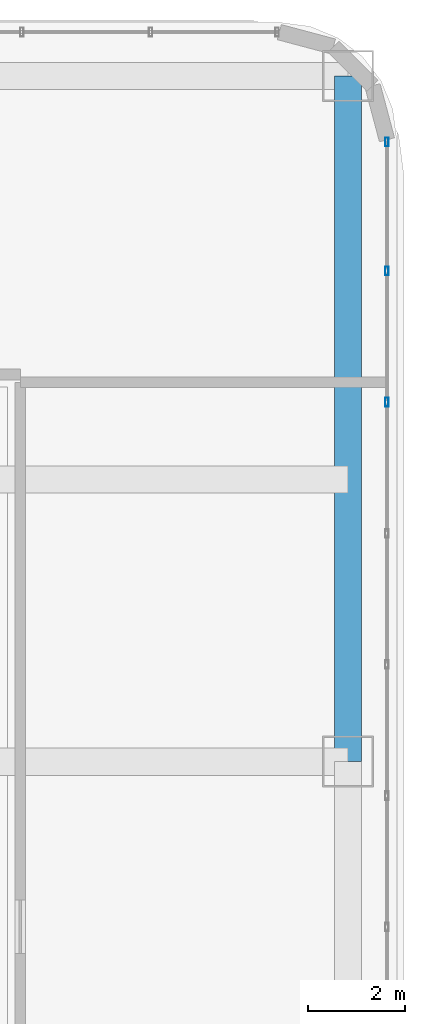
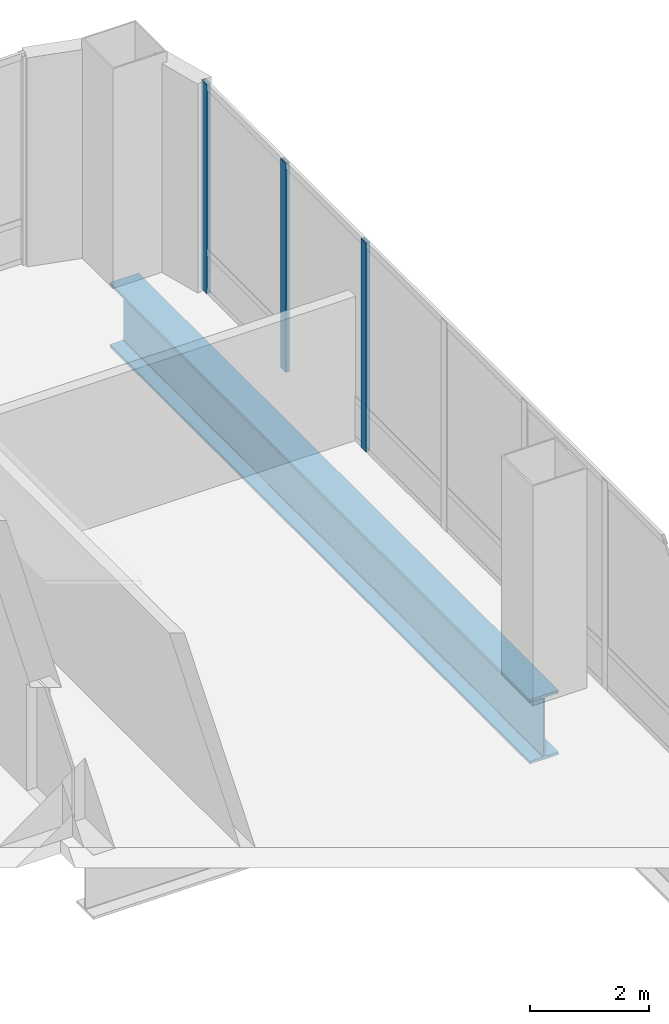
# One storey, part 23 of 33: 3 members, 1 beam, 1 element without a shape of its own.
"""IFC4 building model written with IfcOpenShell, lengths in metres."""

from ifc_helpers import new_model, si_unit, direction, frame, origin, origin_2d, place, context, subcontext, project, spatial, hollow_rectangle, i_section, extrude, material, material_profile, profile_set, type_object, element, aggregate, save


model = new_model("IFC4")

# Units and contexts
model_context = context("Model", 3, precision=1e-05, world=origin(), true_north=direction((0.0, 1.0)))
body_context = subcontext(model_context, "Body", "Model", "MODEL_VIEW")
ifc_project = project(units=[si_unit("LENGTHUNIT", "METRE"), si_unit("AREAUNIT", "SQUARE_METRE"), si_unit("VOLUMEUNIT", "CUBIC_METRE"), si_unit("PLANEANGLEUNIT", "RADIAN"), si_unit("MASSUNIT", "GRAM", prefix="KILO")], contexts=[model_context])

# Site, building, storey
site_placement = place(None, origin())
site = spatial("IfcSite", under=ifc_project, at=site_placement, CompositionType="ELEMENT")
building_placement = place(site_placement, origin())
building = spatial("IfcBuilding", under=site, at=building_placement, Name="Punatoya Terracotta Tower", CompositionType="ELEMENT")
storey_placement = place(building_placement, frame((0.0, 0.0, 343.800048828125)))
storey = spatial("IfcBuildingStorey", under=building, at=storey_placement, Name="L81", CompositionType="ELEMENT", Elevation=343.800048828125)

# Beam
ifc_material_1 = material(Name="Steel S460", Category="steel")
ifc_material_profile_1 = material_profile(ifc_material_1, i_section(OverallWidth=0.56005859375, OverallDepth=1.320068359375, WebThickness=0.035888671875, FlangeThickness=0.054931640625, FilletRadius=0.01806640625, at=origin_2d()))
ifc_profile_set_1 = profile_set([ifc_material_profile_1], Name="Steel S460")
beam_type = type_object("IfcBeamType", Name="BM-TG-BLK", PredefinedType="BEAM", material=ifc_profile_set_1)
beam_placement = place(storey_placement, frame((19.10009765625, 3.39990234375, -0.93994140625), z_axis=(0.0, 1.0, 0.0), x_axis=(-1.0, 0.0, 0.0)))
element("IfcBeam", 1, at=beam_placement, inside=storey, type_object=beam_type, Name="BM-L81-RG-E3", PredefinedType="BEAM", context=body_context, shape_type="SweptSolid", body=[
    extrude(i_section(OverallWidth=0.56005859375, OverallDepth=1.320068359375, WebThickness=0.035888671875, FlangeThickness=0.054931640625, FilletRadius=0.01806640625, at=origin_2d()), origin(), (0.0, 0.0, 1.0), 14.10009765625),
])

# Curtain wall, members
ifc_material_2 = material(Name="Aluminium 6063-T6 + Double Low-E Glass", Category="aluminium")
curtain_wall_type = type_object("IfcCurtainWallType", Name="CW-CRN", PredefinedType="NOTDEFINED", material=ifc_material_2)
curtain_wall_placement = place(storey_placement, origin())
curtain_wall = element("IfcCurtainWall", 2, at=curtain_wall_placement, inside=storey, type_object=curtain_wall_type, Name="L81 Curtain Wall CW-L81-E05-1", PredefinedType="NOTDEFINED")
ifc_material_3 = material(Name="Aluminium 6063-T6", Category="aluminium")
ifc_material_profile_2 = material_profile(ifc_material_3, hollow_rectangle(XDim=0.070068359375, YDim=0.179931640625, WallThickness=0.00390625, at=origin_2d()))
ifc_profile_set_2 = profile_set([ifc_material_profile_2], Name="Aluminium 6063-T6")
member_type = type_object("IfcMemberType", Name="CW-MUL-M3", PredefinedType="MULLION", material=ifc_profile_set_2)
member_1_placement = place(storey_placement, frame((19.89990234375, 10.791259765625, 0.0), z_axis=(0.0, 0.0, 1.0), x_axis=(1.0, 0.0, 0.0)))
member_1 = element("IfcMember", 3, at=member_1_placement, type_object=member_type, Name="CW-L81-E05-1 Mullion 10", PredefinedType="MULLION", context=body_context, shape_type="SweptSolid", body=[
    extrude(hollow_rectangle(XDim=0.070068359375, YDim=0.179931640625, WallThickness=0.00390625, at=origin_2d()), origin(), (0.0, 0.0, 1.0), 4.280029296875),
])
member_2_placement = place(storey_placement, frame((19.89990234375, 13.489013671875, 0.0), z_axis=(0.0, 0.0, 1.0), x_axis=(1.0, 0.0, 0.0)))
member_2 = element("IfcMember", 4, at=member_2_placement, type_object=member_type, Name="CW-L81-E05-1 Mullion 11", PredefinedType="MULLION", context=body_context, shape_type="SweptSolid", body=[
    extrude(hollow_rectangle(XDim=0.070068359375, YDim=0.179931640625, WallThickness=0.00390625, at=origin_2d()), origin(), (0.0, 0.0, 1.0), 4.280029296875),
])
member_3_placement = place(storey_placement, frame((19.89990234375, 16.141845703125, 0.0), z_axis=(0.0, 0.0, 1.0), x_axis=(1.0, 0.0, 0.0)))
member_3 = element("IfcMember", 5, at=member_3_placement, type_object=member_type, Name="CW-L81-E05-1 Mullion 12", PredefinedType="MULLION", context=body_context, shape_type="SweptSolid", body=[
    extrude(hollow_rectangle(XDim=0.070068359375, YDim=0.179931640625, WallThickness=0.00390625, at=origin_2d()), origin(), (0.0, 0.0, 1.0), 4.280029296875),
])
aggregate(curtain_wall, [member_1, member_2, member_3])

save(model, "model.ifc")
